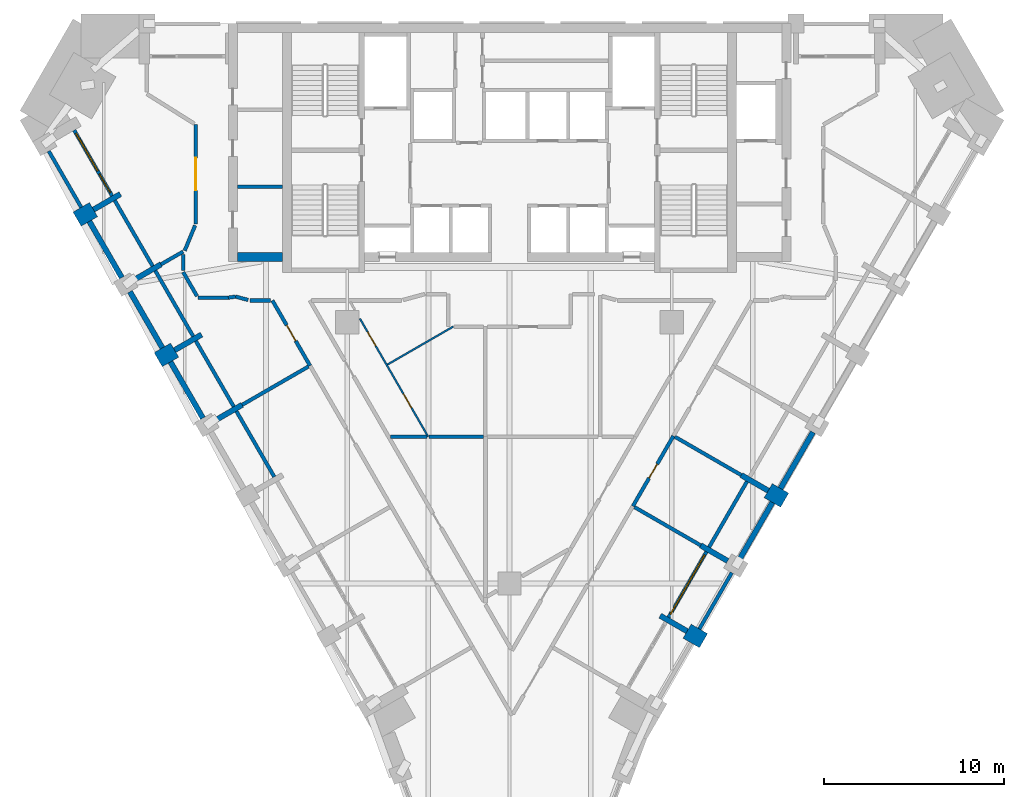
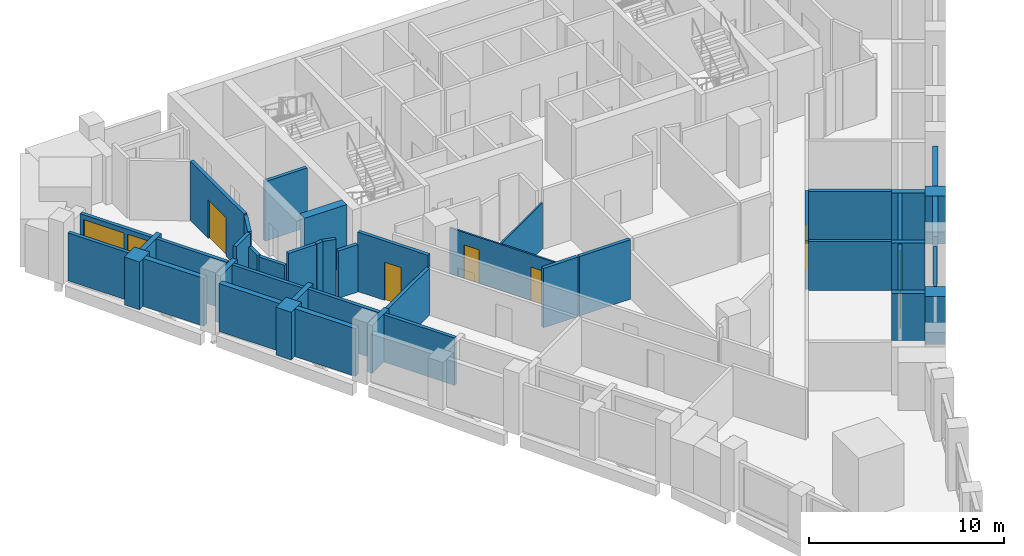
# One storey, part 4 of 10: 45 walls, 6 doors, 2 windows, 8 openings.
"""IFC4 building model written with IfcOpenShell, lengths in metres."""

from ifc_helpers import new_model, si_unit, direction, frame, frame_2d, origin, place, context, subcontext, project, spatial, rectangle, extrude, material, layer, layer_set, type_object, element, fill, save


model = new_model("IFC4")

# Units and contexts
model_context = context("Model", 3, precision=1e-05, world=origin(), true_north=direction((0.0, 1.0)))
body_context = subcontext(model_context, "Body", "Model", "MODEL_VIEW")
ifc_project = project(units=[si_unit("LENGTHUNIT", "METRE"), si_unit("AREAUNIT", "SQUARE_METRE"), si_unit("VOLUMEUNIT", "CUBIC_METRE"), si_unit("PLANEANGLEUNIT", "RADIAN"), si_unit("MASSUNIT", "GRAM", prefix="KILO")], contexts=[model_context])

# Site, building, storey
site_placement = place(None, origin())
site = spatial("IfcSite", under=ifc_project, at=site_placement, CompositionType="ELEMENT")
building_placement = place(site_placement, origin())
building = spatial("IfcBuilding", under=site, at=building_placement, Name="Calabash Gate Tower", CompositionType="ELEMENT")
storey_placement = place(building_placement, frame((0.0, 0.0, 164.10009765625)))
storey = spatial("IfcBuildingStorey", under=building, at=storey_placement, Name="L38", CompositionType="ELEMENT", Elevation=164.10009765625)

# Walls
ifc_material_1 = material(Name="Terracotta brick masonry, exposed face", Category="masonry")
ifc_layer_1 = layer(ifc_material_1, 1.050048828125)
ifc_layer_set_1 = layer_set([ifc_layer_1], Name="Brick end wall 1050")
wall_type_1 = type_object("IfcWallType", Name="Brick end wall 1050", PredefinedType="SOLIDWALL", material=ifc_layer_set_1)
for number, where, z_axis, x_axis, name in (
    (1, (-23.07470703125, 8.737060546875, 0.0), (0.0, 0.0, 1.0), (-0.86592997719, -0.500165247297, 0.0), "Brick pier S10 SW0.1"),
    (2, (-19.48388671875, 0.417724609375, 0.0), (0.0, 0.0, 1.0), (0.86592997719, 0.500165247297, 0.0), "Brick pier S10 SW0.3"),
):
    element("IfcWall", number, at=place(storey_placement, frame(where, z_axis=z_axis, x_axis=x_axis)), inside=storey, type_object=wall_type_1, Name=name, PredefinedType="SOLIDWALL", context=body_context, shape_type="SweptSolid", body=[
        extrude(rectangle(XDim=1.050048828125, YDim=0.89990234375, at=frame_2d((0.52490234375, 0.0))), origin(), (0.0, 0.0, 1.0), 3.0),
    ])
for number, where, z_axis, x_axis, name in (
    (3, (9.849609375, -14.645751953125, 0.0), (0.0, 0.0, 1.0), (0.866030680601, -0.499990860175, 0.0), "Brick pier S10 SE4.1"),
    (4, (14.349609375, -6.8515625, 0.0), (0.0, 0.0, 1.0), (0.866030680601, -0.499990860175, 0.0), "Brick pier S10 SE4.3"),
):
    element("IfcWall", number, at=place(storey_placement, frame(where, z_axis=z_axis, x_axis=x_axis)), inside=storey, type_object=wall_type_1, Name=name, PredefinedType="SOLIDWALL", context=body_context, shape_type="SweptSolid", body=[
        extrude(rectangle(XDim=1.0498046875, YDim=0.89990234375, at=frame_2d((0.52490234375, 0.0))), origin(), (0.0, 0.0, 1.0), 3.0),
    ])
ifc_material_2 = material(Name="Terracotta brick masonry, exposed face", Category="masonry")
ifc_layer_2 = layer(ifc_material_2, 0.300048828125)
ifc_layer_set_2 = layer_set([ifc_layer_2], Name="Brick infill panel wall 300")
wall_type_2 = type_object("IfcWallType", Name="Brick infill panel wall 300", PredefinedType="SOLIDWALL", material=ifc_layer_set_2)
wall_1_placement = place(storey_placement, frame((-23.30419921875, 8.084716796875, 0.0), z_axis=(0.0, 0.0, 1.0), x_axis=(0.499961193289, -0.866047807691, 0.0)))
element("IfcWall", 5, at=wall_1_placement, inside=storey, type_object=wall_type_2, Name="Brick panel S10 SW0.2", PredefinedType="SOLIDWALL", context=body_context, shape_type="SweptSolid", body=[
    extrude(rectangle(XDim=3.599853515625, YDim=0.300048828125, at=frame_2d((1.7998046875, 0.0))), origin(), (0.0, 0.0, 1.0), 3.0),
])
wall_2_placement = place(storey_placement, frame((-19.25439453125, 1.070068359375, 0.0), z_axis=(0.0, 0.0, 1.0), x_axis=(-0.499969057507, 0.866043267704, 0.0)))
element("IfcWall", 6, at=wall_2_placement, inside=storey, type_object=wall_type_2, Name="Brick panel S10 SW0.3", PredefinedType="SOLIDWALL", context=body_context, shape_type="SweptSolid", body=[
    extrude(rectangle(XDim=3.599365234375, YDim=0.300048828125, at=frame_2d((1.7998046875, 0.0))), origin(), (0.0, 0.0, 1.0), 3.0),
])
wall_3_placement = place(storey_placement, frame((-18.80419921875, 0.29052734375, 0.0), z_axis=(0.0, 0.0, 1.0), x_axis=(0.499961193289, -0.866047807691, 0.0)))
element("IfcWall", 7, at=wall_3_placement, inside=storey, type_object=wall_type_2, Name="Brick panel S10 SW0.4", PredefinedType="SOLIDWALL", context=body_context, shape_type="SweptSolid", body=[
    extrude(rectangle(XDim=3.599853515625, YDim=0.300048828125, at=frame_2d((1.7998046875, 0.0))), origin(), (0.0, 0.0, 1.0), 3.0),
])
wall_4_placement = place(storey_placement, frame((12.779296875, -10.621337890625, 0.0), z_axis=(0.0, 0.0, 1.0), x_axis=(0.500012057535, 0.866018442252, 0.0)))
element("IfcWall", 8, at=wall_4_placement, inside=storey, type_object=wall_type_2, Name="Brick panel S10 SE4.3", PredefinedType="SOLIDWALL", context=body_context, shape_type="SweptSolid", body=[
    extrude(rectangle(XDim=3.60009765625, YDim=0.300048828125, at=frame_2d((1.800048828125, 0.0))), origin(), (0.0, 0.0, 1.0), 3.0),
])
wall_5_placement = place(storey_placement, frame((15.029296875, -6.724365234375, 0.0), z_axis=(0.0, 0.0, 1.0), x_axis=(0.499982693035, 0.866035395735, 0.0)))
element("IfcWall", 9, at=wall_5_placement, inside=storey, type_object=wall_type_2, Name="Brick panel S10 SE4.4", PredefinedType="SOLIDWALL", context=body_context, shape_type="SweptSolid", body=[
    extrude(rectangle(XDim=3.600341796875, YDim=0.300048828125, at=frame_2d((1.80029296875, 0.0))), origin(), (0.0, 0.0, 1.0), 3.0),
])
ifc_material_3 = material(Name="Terracotta brick masonry, exposed face", Category="masonry")
ifc_layer_3 = layer(ifc_material_3, 0.300048828125)
ifc_layer_set_3 = layer_set([ifc_layer_3], Name="Brick loggia cheek wall 300")
wall_type_3 = type_object("IfcWallType", Name="Brick loggia cheek wall 300", PredefinedType="SOLIDWALL", material=ifc_layer_set_3)
wall_6_placement = place(storey_placement, frame((-23.07470703125, 8.737060546875, 0.0), z_axis=(0.0, 0.0, 1.0), x_axis=(0.866013532718, 0.500020560727, 0.0)))
element("IfcWall", 10, at=wall_6_placement, inside=storey, type_object=wall_type_3, Name="Loggia cheek S10 SW0.1", PredefinedType="SOLIDWALL", context=body_context, shape_type="SweptSolid", body=[
    extrude(rectangle(XDim=1.72509765625, YDim=0.300048828125, at=frame_2d((0.862548828125, 0.0))), origin(), (0.0, 0.0, 1.0), 3.0),
])
wall_7_placement = place(storey_placement, frame((-19.330810546875, 5.702392578125, 0.0), z_axis=(0.0, 0.0, 1.0), x_axis=(-0.86597814115, -0.500081852351, 0.0)))
element("IfcWall", 11, at=wall_7_placement, inside=storey, type_object=wall_type_3, Name="Loggia cheek S10 SW0.2", PredefinedType="SOLIDWALL", context=body_context, shape_type="SweptSolid", body=[
    extrude(rectangle(XDim=1.724853515625, YDim=0.300048828125, at=frame_2d((0.8623046875, 0.0))), origin(), (0.0, 0.0, 1.0), 2.949951171875),
])
for number, where, z_axis, x_axis, name in (
    (12, (-18.57470703125, 0.94287109375, 0.0), (0.0, 0.0, 1.0), (0.866074815912, 0.499914405916, 0.0), "Loggia cheek S10 SW0.3"),
    (13, (-16.324462890625, -2.954345703125, 0.0), (0.0, 0.0, 1.0), (0.86597814115, 0.500081852351, 0.0), "Loggia cheek S10 SW0.4"),
):
    element("IfcWall", number, at=place(storey_placement, frame(where, z_axis=z_axis, x_axis=x_axis)), inside=storey, type_object=wall_type_3, Name=name, PredefinedType="SOLIDWALL", context=body_context, shape_type="SweptSolid", body=[
        extrude(rectangle(XDim=1.724853515625, YDim=0.300048828125, at=frame_2d((0.8623046875, 0.0))), origin(), (0.0, 0.0, 1.0), 3.0),
    ])
wall_8_placement = place(storey_placement, frame((8.355712890625, -13.783203125, 0.0), z_axis=(0.0, 0.0, 1.0), x_axis=(0.866013532718, -0.500020560727, 0.0)))
element("IfcWall", 14, at=wall_8_placement, inside=storey, type_object=wall_type_3, Name="Loggia cheek S10 SE4.1", PredefinedType="SOLIDWALL", context=body_context, shape_type="SweptSolid", body=[
    extrude(rectangle(XDim=1.72509765625, YDim=0.300048828125, at=frame_2d((0.862548828125, 0.0))), origin(), (0.0, 0.0, 1.0), 3.0),
])
wall_9_placement = place(storey_placement, frame((12.099365234375, -10.74853515625, 0.0), z_axis=(0.0, 0.0, 1.0), x_axis=(-0.86597814115, 0.500081852351, 0.0)))
element("IfcWall", 15, at=wall_9_placement, inside=storey, type_object=wall_type_3, Name="Loggia cheek S10 SE4.2", PredefinedType="SOLIDWALL", context=body_context, shape_type="SweptSolid", body=[
    extrude(rectangle(XDim=1.724853515625, YDim=0.300048828125, at=frame_2d((0.8623046875, 0.0))), origin(), (0.0, 0.0, 1.0), 3.0),
])
wall_10_placement = place(storey_placement, frame((14.349609375, -6.8515625, 0.0), z_axis=(0.0, 0.0, 1.0), x_axis=(-0.866013532718, 0.500020560727, 0.0)))
element("IfcWall", 16, at=wall_10_placement, inside=storey, type_object=wall_type_3, Name="Loggia cheek S10 SE4.3", PredefinedType="SOLIDWALL", context=body_context, shape_type="SweptSolid", body=[
    extrude(rectangle(XDim=1.72509765625, YDim=0.300048828125, at=frame_2d((0.862548828125, 0.0))), origin(), (0.0, 0.0, 1.0), 3.0),
])
ifc_material_4 = material(Name="Gypsum board on steel studs, mineral wool", Category="steel")
ifc_layer_4 = layer(ifc_material_4, 0.199951171875)
ifc_layer_set_4 = layer_set([ifc_layer_4], Name="Core partition 200 gypsum board")
wall_type_4 = type_object("IfcWallType", Name="Core partition 200 gypsum board", PredefinedType="PARTITIONING", material=ifc_layer_set_4)
wall_11_placement = place(storey_placement, frame((-15.10009765625, 10.0126953125, 0.0), z_axis=(0.0, 0.0, 1.0), x_axis=(1.0, 0.0, 0.0)))
element("IfcWall", 17, at=wall_11_placement, inside=storey, type_object=wall_type_4, Name="Core partition", PredefinedType="PARTITIONING", context=body_context, shape_type="SweptSolid", body=[
    extrude(rectangle(XDim=2.5, YDim=0.199951171875, at=frame_2d((1.25, 0.0))), origin(), (0.0, 0.0, 1.0), 3.72998046875),
])
ifc_material_5 = material(Name="Concrete C70/85", Category="concrete")
ifc_layer_5 = layer(ifc_material_5, 0.5)
ifc_layer_set_5 = layer_set([ifc_layer_5], Name="Core wall 500 Concrete C70/85")
wall_type_5 = type_object("IfcWallType", Name="Core wall 500 Concrete C70/85", PredefinedType="SHEAR", material=ifc_layer_set_5)
wall_12_placement = place(storey_placement, frame((-12.60009765625, 6.1025390625, 0.0), z_axis=(0.0, 0.0, 1.0), x_axis=(-1.0, 0.0, 0.0)))
element("IfcWall", 18, at=wall_12_placement, inside=storey, type_object=wall_type_5, Name="Core wall Z3-SW L38", PredefinedType="SHEAR", context=body_context, shape_type="SweptSolid", body=[
    extrude(rectangle(XDim=2.5, YDim=0.5, at=frame_2d((1.25, 0.0))), origin(), (0.0, 0.0, 1.0), 3.89990234375),
])
ifc_material_6 = material(Name="Gypsum board on steel studs, mineral wool", Category="steel")
ifc_layer_6 = layer(ifc_material_6, 0.10009765625)
ifc_layer_set_6 = layer_set([ifc_layer_6], Name="Partition 100 gypsum board")
wall_type_6 = type_object("IfcWallType", Name="Partition 100 gypsum board", PredefinedType="PARTITIONING", material=ifc_layer_set_6)
wall_13_placement = place(storey_placement, frame((-6.76708984375, 0.145263671875, 0.0), z_axis=(0.0, 0.0, 1.0), x_axis=(0.865929781716, 0.500165585718, 0.0)))
element("IfcWall", 19, at=wall_13_placement, inside=storey, type_object=wall_type_6, Name="Partition", PredefinedType="PARTITIONING", context=body_context, shape_type="SweptSolid", body=[
    extrude(rectangle(XDim=4.21240234375, YDim=0.10009765625, at=frame_2d((2.106201171875, 0.0))), origin(), (0.0, 0.0, 1.0), 2.884033203125),
])

# Wall, openings, doors
wall_14_placement = place(storey_placement, frame((-8.300048828125, 2.697021484375, 0.0), z_axis=(0.0, 0.0, 1.0), x_axis=(0.500524865803, -0.86572216023, 0.0)))
wall_14 = element("IfcWall", 20, at=wall_14_placement, inside=storey, type_object=wall_type_6, Name="Partition", PredefinedType="PARTITIONING", context=body_context, shape_type="SweptSolid", body=[
    extrude(rectangle(XDim=7.566162109375, YDim=0.10009765625, at=frame_2d((3.783203125, 0.0))), origin(), (0.0, 0.0, 1.0), 2.884033203125),
])
opening_1_placement = place(wall_14_placement, frame((0.858154296875, 0.0, 0.0)))
opening_1 = element("IfcOpeningElement", 21, at=opening_1_placement, cuts=wall_14, Name="Opening 36-38-017", PredefinedType="OPENING", context=body_context, shape_type="SweptSolid", body=[
    extrude(rectangle(XDim=0.89990234375, YDim=2.10009765625, at=frame_2d((0.449951171875, 1.050048828125))), frame((0.0, 0.06005859375, 0.0), z_axis=(0.0, -1.0, 0.0), x_axis=(1.0, 0.0, 0.0)), (0.0, 0.0, 1.0), 0.1201171875),
])
opening_2_placement = place(wall_14_placement, frame((4.8203125, 0.0, 0.0)))
opening_2 = element("IfcOpeningElement", 22, at=opening_2_placement, cuts=wall_14, Name="Opening 36-38-018", PredefinedType="OPENING", context=body_context, shape_type="SweptSolid", body=[
    extrude(rectangle(XDim=0.89990234375, YDim=2.10009765625, at=frame_2d((0.449951171875, 1.050048828125))), frame((0.0, 0.06005859375, 0.0), z_axis=(0.0, -1.0, 0.0), x_axis=(1.0, 0.0, 0.0)), (0.0, 0.0, 1.0), 0.1201171875),
])
ifc_material_7 = material(Name="Painted timber door", Category="wood")
door_type_1 = type_object("IfcDoorType", Name="WD1 WC door 900x2100", OperationType="NOTDEFINED", PredefinedType="DOOR", material=ifc_material_7)
door_1_placement = place(opening_1_placement, origin())
door_1 = element("IfcDoor", 23, at=door_1_placement, inside=storey, type_object=door_type_1, Name="WC door", OperationType="SINGLE_SWING_LEFT", OverallHeight=2.10009765625, OverallWidth=0.89990234375, PredefinedType="DOOR", context=body_context, shape_type="SweptSolid", body=[
    extrude(rectangle(XDim=0.89990234375, YDim=2.10009765625, at=frame_2d((0.449951171875, 1.050048828125))), frame((0.0, 0.02490234375, 0.0), z_axis=(0.0, -1.0, 0.0), x_axis=(1.0, 0.0, 0.0)), (0.0, 0.0, 1.0), 0.050048828125),
])
fill(opening_1, door_1)
door_2_placement = place(opening_2_placement, origin())
door_2 = element("IfcDoor", 24, at=door_2_placement, inside=storey, type_object=door_type_1, Name="WC door", OperationType="SINGLE_SWING_RIGHT", OverallHeight=2.10009765625, OverallWidth=0.89990234375, PredefinedType="DOOR", context=body_context, shape_type="SweptSolid", body=[
    extrude(rectangle(XDim=0.89990234375, YDim=2.10009765625, at=frame_2d((0.449951171875, 1.050048828125))), frame((0.0, 0.02490234375, 0.0), z_axis=(0.0, -1.0, 0.0), x_axis=(1.0, 0.0, 0.0)), (0.0, 0.0, 1.0), 0.050048828125),
])
fill(opening_2, door_2)

# Walls
ifc_material_8 = material(Name="Gypsum board on steel studs, mineral wool", Category="steel")
ifc_layer_7 = layer(ifc_material_8, 0.199951171875)
ifc_layer_set_7 = layer_set([ifc_layer_7], Name="Partition 200 gypsum board EI 60")
wall_type_7 = type_object("IfcWallType", Name="Partition 200 gypsum board EI 60", PredefinedType="PARTITIONING", material=ifc_layer_set_7)
wall_15_placement = place(storey_placement, frame((6.927734375, -7.760498046875, 0.0), z_axis=(0.0, 0.0, 1.0), x_axis=(0.86582081126, -0.500354197333, 0.0)))
element("IfcWall", 25, at=wall_15_placement, inside=storey, type_object=wall_type_7, Name="Partition", PredefinedType="PARTITIONING", context=body_context, shape_type="SweptSolid", body=[
    extrude(rectangle(XDim=4.248046875, YDim=0.199951171875, at=frame_2d((2.1240234375, 0.0))), origin(), (0.0, 0.0, 1.0), 3.0517578125),
])
wall_16_placement = place(storey_placement, frame((-4.466796875, -3.85546875, 0.0), z_axis=(0.0, 0.0, 1.0), x_axis=(0.999999841097, 0.000563743166, 0.0)))
element("IfcWall", 26, at=wall_16_placement, inside=storey, type_object=wall_type_7, Name="Partition", PredefinedType="PARTITIONING", context=body_context, shape_type="SweptSolid", body=[
    extrude(rectangle(XDim=3.031494140625, YDim=0.199951171875, at=frame_2d((1.515625, 0.0))), origin(), (0.0, 0.0, 1.0), 3.72998046875),
])
wall_17_placement = place(storey_placement, frame((9.17626953125, -3.8623046875, 0.0), z_axis=(0.0, 0.0, 1.0), x_axis=(0.865807555134, -0.500377135241, 0.0)))
element("IfcWall", 27, at=wall_17_placement, inside=storey, type_object=wall_type_7, Name="Partition", PredefinedType="PARTITIONING", context=body_context, shape_type="SweptSolid", body=[
    extrude(rectangle(XDim=4.249755859375, YDim=0.199951171875, at=frame_2d((2.125, 0.0))), origin(), (0.0, 0.0, 1.0), 3.0517578125),
])
wall_18_placement = place(storey_placement, frame((-6.609619140625, -3.85400390625, 0.0), z_axis=(0.0, 0.0, 1.0), x_axis=(0.999999992849, 0.000119588614, 0.0)))
element("IfcWall", 28, at=wall_18_placement, inside=storey, type_object=wall_type_7, Name="Partition", PredefinedType="PARTITIONING", context=body_context, shape_type="SweptSolid", body=[
    extrude(rectangle(XDim=2.04150390625, YDim=0.199951171875, at=frame_2d((1.020751953125, 0.0))), origin(), (0.0, 0.0, 1.0), 3.72998046875),
])

# Wall, opening, door
wall_19_placement = place(storey_placement, frame((6.84130859375, -7.710205078125, 0.0), z_axis=(0.0, 0.0, 1.0), x_axis=(0.499974615194, 0.866040059213, 0.0)))
wall_19 = element("IfcWall", 29, at=wall_19_placement, inside=storey, type_object=wall_type_7, Name="Partition", PredefinedType="PARTITIONING", context=body_context, shape_type="SweptSolid", body=[
    extrude(rectangle(XDim=4.497802734375, YDim=0.199951171875, at=frame_2d((2.2490234375, 0.0))), origin(), (0.0, 0.0, 1.0), 3.0517578125),
])
opening_3_placement = place(wall_19_placement, frame((1.798095703125, 0.0, 0.0)))
opening_3 = element("IfcOpeningElement", 30, at=opening_3_placement, cuts=wall_19, Name="Opening 36-38-004", PredefinedType="OPENING", context=body_context, shape_type="SweptSolid", body=[
    extrude(rectangle(XDim=0.89990234375, YDim=2.10009765625, at=frame_2d((0.449951171875, 1.050048828125))), frame((0.0, 0.10986328125, 0.0), z_axis=(0.0, -1.0, 0.0), x_axis=(1.0, 0.0, 0.0)), (0.0, 0.0, 1.0), 0.219970703125),
])
ifc_material_9 = material(Name="Steel fire door set with fire-resisting glazing", Category="steel")
door_type_2 = type_object("IfcDoorType", Name="SD3 Store door 900x2100", OperationType="NOTDEFINED", PredefinedType="DOOR", material=ifc_material_9)
door_3_placement = place(opening_3_placement, origin())
door_3 = element("IfcDoor", 31, at=door_3_placement, inside=storey, type_object=door_type_2, Name="Store door", OperationType="SINGLE_SWING_RIGHT", OverallHeight=2.10009765625, OverallWidth=0.89990234375, PredefinedType="DOOR", context=body_context, shape_type="SweptSolid", body=[
    extrude(rectangle(XDim=0.89990234375, YDim=2.10009765625, at=frame_2d((0.449951171875, 1.050048828125))), frame((0.0, 0.02490234375, 0.0), z_axis=(0.0, -1.0, 0.0), x_axis=(1.0, 0.0, 0.0)), (0.0, 0.0, 1.0), 0.050048828125),
])
fill(opening_3, door_3)

# Wall
wall_20_placement = place(storey_placement, frame((-14.8310546875, -2.09130859375, 0.0), z_axis=(0.0, 0.0, 1.0), x_axis=(0.865857330643, 0.500290998291, 0.0)))
element("IfcWall", 32, at=wall_20_placement, inside=storey, type_object=wall_type_7, Name="Partition", PredefinedType="PARTITIONING", context=body_context, shape_type="SweptSolid", body=[
    extrude(rectangle(XDim=4.24951171875, YDim=0.199951171875, at=frame_2d((2.124755859375, 0.0))), origin(), (0.0, 0.0, 1.0), 2.973388671875),
])

# Wall, opening, door
wall_21_placement = place(storey_placement, frame((-13.152099609375, 3.699462890625, 0.0), z_axis=(0.0, 0.0, 1.0), x_axis=(0.499717391966, -0.866188506139, 0.0)))
wall_21 = element("IfcWall", 33, at=wall_21_placement, inside=storey, type_object=wall_type_7, Name="Partition", PredefinedType="PARTITIONING", context=body_context, shape_type="SweptSolid", body=[
    extrude(rectangle(XDim=4.17578125, YDim=0.199951171875, at=frame_2d((2.087890625, 0.0))), origin(), (0.0, 0.0, 1.0), 3.72998046875),
])
opening_4_placement = place(wall_21_placement, frame((1.587890625, 0.0, 0.0)))
opening_4 = element("IfcOpeningElement", 34, at=opening_4_placement, cuts=wall_21, Name="Opening 36-38-012", PredefinedType="OPENING", context=body_context, shape_type="SweptSolid", body=[
    extrude(rectangle(XDim=1.0, YDim=2.39990234375, at=frame_2d((0.5, 1.199951171875))), frame((0.0, 0.10986328125, 0.0), z_axis=(0.0, -1.0, 0.0), x_axis=(1.0, 0.0, 0.0)), (0.0, 0.0, 1.0), 0.219970703125),
])
ifc_material_10 = material(Name="Painted timber door", Category="wood")
door_type_3 = type_object("IfcDoorType", Name="OD2 Glazed office door 1000x2400", OperationType="NOTDEFINED", PredefinedType="DOOR", material=ifc_material_10)
door_4_placement = place(opening_4_placement, origin())
door_4 = element("IfcDoor", 35, at=door_4_placement, inside=storey, type_object=door_type_3, Name="Glazed office door", OperationType="SINGLE_SWING_RIGHT", OverallHeight=2.39990234375, OverallWidth=1.0, PredefinedType="DOOR", context=body_context, shape_type="SweptSolid", body=[
    extrude(rectangle(XDim=1.0, YDim=2.39990234375, at=frame_2d((0.5, 1.199951171875))), frame((0.0, 0.02490234375, 0.0), z_axis=(0.0, -1.0, 0.0), x_axis=(1.0, 0.0, 0.0)), (0.0, 0.0, 1.0), 0.050048828125),
])
fill(opening_4, door_4)

# Walls
wall_22_placement = place(storey_placement, frame((-14.39990234375, 3.699462890625, 0.0), z_axis=(0.0, 0.0, 1.0), x_axis=(1.0, 0.0, 0.0)))
element("IfcWall", 36, at=wall_22_placement, inside=storey, type_object=wall_type_7, Name="Partition", PredefinedType="PARTITIONING", context=body_context, shape_type="SweptSolid", body=[
    extrude(rectangle(XDim=1.14794921875, YDim=0.199951171875, at=frame_2d((0.573974609375, 0.0))), origin(), (0.0, 0.0, 1.0), 2.973388671875),
])
wall_23_placement = place(storey_placement, frame((-15.193359375, 3.91455078125, 0.0), z_axis=(0.0, 0.0, 1.0), x_axis=(0.965137431954, -0.26174364833, 0.0)))
element("IfcWall", 37, at=wall_23_placement, inside=storey, type_object=wall_type_7, Name="Partition", PredefinedType="PARTITIONING", context=body_context, shape_type="SweptSolid", body=[
    extrude(rectangle(XDim=0.721923828125, YDim=0.199951171875, at=frame_2d((0.36083984375, 0.0))), origin(), (0.0, 0.0, 1.0), 3.72998046875),
])
wall_24_placement = place(storey_placement, frame((-17.281494140625, 3.85205078125, 0.0), z_axis=(0.0, 0.0, 1.0), x_axis=(1.0, 0.0, 0.0)))
element("IfcWall", 38, at=wall_24_placement, inside=storey, type_object=wall_type_7, Name="Partition", PredefinedType="PARTITIONING", context=body_context, shape_type="SweptSolid", body=[
    extrude(rectangle(XDim=1.681396484375, YDim=0.199951171875, at=frame_2d((0.8408203125, 0.0))), origin(), (0.0, 0.0, 1.0), 3.72998046875),
])
wall_25_placement = place(storey_placement, frame((-15.60009765625, 3.85205078125, 0.0), z_axis=(0.0, 0.0, 1.0), x_axis=(0.988399116328, 0.15187885581, 0.0)))
element("IfcWall", 39, at=wall_25_placement, inside=storey, type_object=wall_type_7, Name="Partition", PredefinedType="PARTITIONING", context=body_context, shape_type="SweptSolid", body=[
    extrude(rectangle(XDim=0.41162109375, YDim=0.199951171875, at=frame_2d((0.205810546875, 0.0))), origin(), (0.0, 0.0, 1.0), 3.72998046875),
])
wall_26_placement = place(storey_placement, frame((-18.1005859375, 5.2705078125, 0.0), z_axis=(0.0, 0.0, 1.0), x_axis=(0.500065993159, -0.865987299264, 0.0)))
element("IfcWall", 40, at=wall_26_placement, inside=storey, type_object=wall_type_7, Name="Partition", PredefinedType="PARTITIONING", context=body_context, shape_type="SweptSolid", body=[
    extrude(rectangle(XDim=1.537841796875, YDim=0.199951171875, at=frame_2d((0.76904296875, 0.0))), origin(), (0.0, 0.0, 1.0), 2.949951171875),
])
wall_27_placement = place(storey_placement, frame((-18.1005859375, 6.252685546875, 0.0), z_axis=(0.0, 0.0, 1.0), x_axis=(0.0, -1.0, 0.0)))
element("IfcWall", 41, at=wall_27_placement, inside=storey, type_object=wall_type_7, Name="Partition", PredefinedType="PARTITIONING", context=body_context, shape_type="SweptSolid", body=[
    extrude(rectangle(XDim=0.882080078125, YDim=0.199951171875, at=frame_2d((0.44091796875, 0.0))), origin(), (0.0, 0.0, 1.0), 2.949951171875),
])
wall_28_placement = place(storey_placement, frame((-19.330810546875, 5.7021484375, 0.0), z_axis=(0.0, 0.0, 1.0), x_axis=(0.866606662927, 0.498991875455, 0.0)))
element("IfcWall", 42, at=wall_28_placement, inside=storey, type_object=wall_type_7, Name="Partition", PredefinedType="PARTITIONING", context=body_context, shape_type="SweptSolid", body=[
    extrude(rectangle(XDim=1.41796875, YDim=0.199951171875, at=frame_2d((0.708984375, 0.0))), origin(), (0.0, 0.0, 1.0), 3.72998046875),
])
wall_29_placement = place(storey_placement, frame((-18.01611328125, 6.46142578125, 0.0), z_axis=(0.0, 0.0, 1.0), x_axis=(0.381577373497, 0.924336901803, 0.0)))
element("IfcWall", 43, at=wall_29_placement, inside=storey, type_object=wall_type_7, Name="Partition", PredefinedType="PARTITIONING", context=body_context, shape_type="SweptSolid", body=[
    extrude(rectangle(XDim=1.51318359375, YDim=0.199951171875, at=frame_2d((0.756591796875, 0.0))), origin(), (0.0, 0.0, 1.0), 3.72998046875),
])

# Wall, opening, door
wall_30_placement = place(storey_placement, frame((-17.400390625, 7.95263671875, 0.0), z_axis=(0.0, 0.0, 1.0), x_axis=(0.0, 1.0, 0.0)))
wall_30 = element("IfcWall", 44, at=wall_30_placement, inside=storey, type_object=wall_type_7, Name="Partition", PredefinedType="PARTITIONING", context=body_context, shape_type="SweptSolid", body=[
    extrude(rectangle(XDim=5.499755859375, YDim=0.199951171875, at=frame_2d((2.75, 0.0))), origin(), (0.0, 0.0, 1.0), 3.72998046875),
])
opening_5_placement = place(wall_30_placement, frame((1.849853515625, 0.0, 0.0)))
opening_5 = element("IfcOpeningElement", 45, at=opening_5_placement, cuts=wall_30, Name="Opening 36-38-011", PredefinedType="OPENING", context=body_context, shape_type="SweptSolid", body=[
    extrude(rectangle(XDim=1.800048828125, YDim=2.39990234375, at=frame_2d((0.89990234375, 1.199951171875))), frame((0.0, 0.10986328125, 0.0), z_axis=(0.0, -1.0, 0.0), x_axis=(1.0, 0.0, 0.0)), (0.0, 0.0, 1.0), 0.219970703125),
])
ifc_material_11 = material(Name="Steel fire door set with fire-resisting glazing", Category="steel")
door_type_4 = type_object("IfcDoorType", Name="OD5 Open office double door 1800x2400", OperationType="NOTDEFINED", PredefinedType="DOOR", material=ifc_material_11)
door_5_placement = place(opening_5_placement, origin())
door_5 = element("IfcDoor", 46, at=door_5_placement, inside=storey, type_object=door_type_4, Name="Open office double door", OperationType="DOUBLE_DOOR_SINGLE_SWING", OverallHeight=2.39990234375, OverallWidth=1.800048828125, PredefinedType="DOOR", context=body_context, shape_type="SweptSolid", body=[
    extrude(rectangle(XDim=1.800048828125, YDim=2.39990234375, at=frame_2d((0.89990234375, 1.199951171875))), frame((0.0, 0.02490234375, 0.0), z_axis=(0.0, -1.0, 0.0), x_axis=(1.0, 0.0, 0.0)), (0.0, 0.0, 1.0), 0.050048828125),
])
fill(opening_5, door_5)

# Walls
ifc_material_12 = material(Name="Terracotta brick masonry, perforated", Category="masonry")
ifc_layer_8 = layer(ifc_material_12, 0.199951171875)
ifc_layer_set_8 = layer_set([ifc_layer_8], Name="Terracotta jaali screen B")
wall_type_8 = type_object("IfcWallType", Name="Terracotta jaali screen B", PredefinedType="SOLIDWALL", material=ifc_layer_set_8)
wall_31_placement = place(storey_placement, frame((-25.55419921875, 11.98193359375, 0.0), z_axis=(0.0, 0.0, 1.0), x_axis=(0.499961193289, -0.866047807691, 0.0)))
element("IfcWall", 47, at=wall_31_placement, inside=storey, type_object=wall_type_8, Name="SCREEN B S10 SW0.1", PredefinedType="SOLIDWALL", context=body_context, shape_type="SweptSolid", body=[
    extrude(rectangle(XDim=3.599853515625, YDim=0.199951171875, at=frame_2d((1.7998046875, 0.0))), origin(), (0.0, 0.0, 1.0), 3.0),
])
wall_32_placement = place(storey_placement, frame((10.529296875, -14.5185546875, 0.0), z_axis=(0.0, 0.0, 1.0), x_axis=(0.500012057535, 0.866018442252, 0.0)))
element("IfcWall", 48, at=wall_32_placement, inside=storey, type_object=wall_type_8, Name="SCREEN B S10 SE4.2", PredefinedType="SOLIDWALL", context=body_context, shape_type="SweptSolid", body=[
    extrude(rectangle(XDim=3.60009765625, YDim=0.199951171875, at=frame_2d((1.800048828125, 0.0))), origin(), (0.0, 0.0, 1.0), 3.0),
])

# Wall, openings, door, window
ifc_material_13 = material(Name="Aluminium framed window wall with insulated spandrel", Category="aluminium")
ifc_layer_9 = layer(ifc_material_13, 0.199951171875)
ifc_layer_set_9 = layer_set([ifc_layer_9], Name="Window wall 200")
wall_type_9 = type_object("IfcWallType", Name="Window wall 200", PredefinedType="ELEMENTEDWALL", material=ifc_layer_set_9)
wall_33_placement = place(storey_placement, frame((-24.1455078125, 13.1416015625, 0.0), z_axis=(0.0, 0.0, 1.0), x_axis=(0.500027713859, -0.866009402589, 0.0)))
wall_33 = element("IfcWall", 49, at=wall_33_placement, inside=storey, type_object=wall_type_9, Name="Window wall S10 SW0.1", PredefinedType="ELEMENTEDWALL", context=body_context, shape_type="SweptSolid", body=[
    extrude(rectangle(XDim=4.199951171875, YDim=0.199951171875, at=frame_2d((2.10009765625, 0.0))), origin(), (0.0, 0.0, 1.0), 3.0),
])
opening_6_placement = place(wall_33_placement, frame((0.199951171875, 0.0, 0.449951171875)))
opening_6 = element("IfcOpeningElement", 50, at=opening_6_placement, cuts=wall_33, Name="Opening OW1", PredefinedType="OPENING", context=body_context, shape_type="SweptSolid", body=[
    extrude(rectangle(XDim=2.39990234375, YDim=2.25, at=frame_2d((1.199951171875, 1.125))), frame((0.0, 0.10986328125, 0.0), z_axis=(0.0, -1.0, 0.0), x_axis=(1.0, 0.0, 0.0)), (0.0, 0.0, 1.0), 0.219970703125),
])
opening_7_placement = place(wall_33_placement, frame((2.800048828125, 0.0, 0.0)))
opening_7 = element("IfcOpeningElement", 51, at=opening_7_placement, cuts=wall_33, Name="Opening O2-022", PredefinedType="OPENING", context=body_context, shape_type="SweptSolid", body=[
    extrude(rectangle(XDim=1.199951171875, YDim=2.699951171875, at=frame_2d((0.60009765625, 1.35009765625))), frame((0.0, 0.10986328125, 0.0), z_axis=(0.0, -1.0, 0.0), x_axis=(1.0, 0.0, 0.0)), (0.0, 0.0, 1.0), 0.219970703125),
])
ifc_material_14 = material(Name="Anodised aluminium frame, bronze finish, impact-rated laminated clear glazing", Category="aluminium")
door_type_5 = type_object("IfcDoorType", Name="Loggia door DO1 1200x2700", OperationType="SLIDING_TO_LEFT", PredefinedType="DOOR", material=ifc_material_14)
door_6_placement = place(opening_7_placement, origin())
door_6 = element("IfcDoor", 52, at=door_6_placement, inside=storey, type_object=door_type_5, Name="Loggia door S10 SW0.1", OperationType="SINGLE_SWING_LEFT", OverallHeight=2.699951171875, OverallWidth=1.199951171875, PredefinedType="DOOR", context=body_context, shape_type="SweptSolid", body=[
    extrude(rectangle(XDim=1.199951171875, YDim=2.699951171875, at=frame_2d((0.60009765625, 1.35009765625))), frame((0.0, 0.02490234375, 0.0), z_axis=(0.0, -1.0, 0.0), x_axis=(1.0, 0.0, 0.0)), (0.0, 0.0, 1.0), 0.050048828125),
])
fill(opening_7, door_6)
ifc_material_15 = material(Name="Anodised aluminium frame, bronze finish, impact-rated laminated clear glazing", Category="aluminium")
window_type_1 = type_object("IfcWindowType", Name="Window OW1 2400x2250", PartitioningType="DOUBLE_PANEL_VERTICAL", PredefinedType="WINDOW", material=ifc_material_15)
window_1_placement = place(opening_6_placement, origin())
window_1 = element("IfcWindow", 53, at=window_1_placement, inside=storey, type_object=window_type_1, Name="Window OW1 S10 SW0.1", OverallHeight=2.25, OverallWidth=2.39990234375, PartitioningType="SINGLE_PANEL", PredefinedType="WINDOW", context=body_context, shape_type="SweptSolid", body=[
    extrude(rectangle(XDim=2.39990234375, YDim=2.25, at=frame_2d((1.199951171875, 1.125))), frame((0.0, 0.030029296875, 0.0), z_axis=(0.0, -1.0, 0.0), x_axis=(1.0, 0.0, 0.0)), (0.0, 0.0, 1.0), 0.06005859375),
])
fill(opening_6, window_1)

# Walls
wall_34_placement = place(storey_placement, frame((-21.8955078125, 9.24462890625, 0.0), z_axis=(0.0, 0.0, 1.0), x_axis=(0.500002543286, -0.866023935413, 0.0)))
element("IfcWall", 54, at=wall_34_placement, inside=storey, type_object=wall_type_9, Name="Window wall S10 SW0.2", PredefinedType="ELEMENTEDWALL", context=body_context, shape_type="SweptSolid", body=[
    extrude(rectangle(XDim=4.2001953125, YDim=0.199951171875, at=frame_2d((2.10009765625, 0.0))), origin(), (0.0, 0.0, 1.0), 3.0),
])
wall_35_placement = place(storey_placement, frame((-19.6455078125, 5.347412109375, 0.0), z_axis=(0.0, 0.0, 1.0), x_axis=(0.500027713859, -0.866009402589, 0.0)))
element("IfcWall", 55, at=wall_35_placement, inside=storey, type_object=wall_type_9, Name="Window wall S10 SW0.3", PredefinedType="ELEMENTEDWALL", context=body_context, shape_type="SweptSolid", body=[
    extrude(rectangle(XDim=4.199951171875, YDim=0.199951171875, at=frame_2d((2.10009765625, 0.0))), origin(), (0.0, 0.0, 1.0), 2.949951171875),
])
wall_36_placement = place(storey_placement, frame((-17.3955078125, 1.450439453125, 0.0), z_axis=(0.0, 0.0, 1.0), x_axis=(0.500002543286, -0.866023935413, 0.0)))
element("IfcWall", 56, at=wall_36_placement, inside=storey, type_object=wall_type_9, Name="Window wall S10 SW0.4", PredefinedType="ELEMENTEDWALL", context=body_context, shape_type="SweptSolid", body=[
    extrude(rectangle(XDim=4.2001953125, YDim=0.199951171875, at=frame_2d((2.10009765625, 0.0))), origin(), (0.0, 0.0, 1.0), 3.0),
])
wall_37_placement = place(storey_placement, frame((-15.1455078125, -2.44677734375, 0.0), z_axis=(0.0, 0.0, 1.0), x_axis=(0.500027713859, -0.866009402589, 0.0)))
element("IfcWall", 57, at=wall_37_placement, inside=storey, type_object=wall_type_9, Name="Window wall S10 SW0.5", PredefinedType="ELEMENTEDWALL", context=body_context, shape_type="SweptSolid", body=[
    extrude(rectangle(XDim=4.199951171875, YDim=0.199951171875, at=frame_2d((2.10009765625, 0.0))), origin(), (0.0, 0.0, 1.0), 2.973388671875),
])

# Wall, opening, window
wall_38_placement = place(storey_placement, frame((8.8203125, -13.878173828125, 0.0), z_axis=(0.0, 0.0, 1.0), x_axis=(0.500027713859, 0.866009402589, 0.0)))
wall_38 = element("IfcWall", 58, at=wall_38_placement, inside=storey, type_object=wall_type_9, Name="Window wall S10 SE4.2", PredefinedType="ELEMENTEDWALL", context=body_context, shape_type="SweptSolid", body=[
    extrude(rectangle(XDim=4.199951171875, YDim=0.199951171875, at=frame_2d((2.10009765625, 0.0))), origin(), (0.0, 0.0, 1.0), 2.949951171875),
])
opening_8_placement = place(wall_38_placement, frame((0.199951171875, 0.0, 0.449951171875)))
opening_8 = element("IfcOpeningElement", 59, at=opening_8_placement, cuts=wall_38, Name="Opening OW2", PredefinedType="OPENING", context=body_context, shape_type="SweptSolid", body=[
    extrude(rectangle(XDim=3.800048828125, YDim=2.25, at=frame_2d((1.89990234375, 1.125))), frame((0.0, 0.10986328125, 0.0), z_axis=(0.0, -1.0, 0.0), x_axis=(1.0, 0.0, 0.0)), (0.0, 0.0, 1.0), 0.219970703125),
])
ifc_material_16 = material(Name="Anodised aluminium frame, bronze finish, impact-rated laminated clear glazing", Category="aluminium")
window_type_2 = type_object("IfcWindowType", Name="Window OW2 3800x2250", PartitioningType="TRIPLE_PANEL_VERTICAL", PredefinedType="WINDOW", material=ifc_material_16)
window_2_placement = place(opening_8_placement, origin())
window_2 = element("IfcWindow", 60, at=window_2_placement, inside=storey, type_object=window_type_2, Name="Window OW2 S10 SE4.2", OverallHeight=2.25, OverallWidth=3.800048828125, PartitioningType="SINGLE_PANEL", PredefinedType="WINDOW", context=body_context, shape_type="SweptSolid", body=[
    extrude(rectangle(XDim=3.800048828125, YDim=2.25, at=frame_2d((1.89990234375, 1.125))), frame((0.0, 0.030029296875, 0.0), z_axis=(0.0, -1.0, 0.0), x_axis=(1.0, 0.0, 0.0)), (0.0, 0.0, 1.0), 0.06005859375),
])
fill(opening_8, window_2)

# Wall
wall_39_placement = place(storey_placement, frame((11.0703125, -9.981201171875, 0.0), z_axis=(0.0, 0.0, 1.0), x_axis=(0.500002543286, 0.866023935413, 0.0)))
element("IfcWall", 61, at=wall_39_placement, inside=storey, type_object=wall_type_9, Name="Window wall S10 SE4.3", PredefinedType="ELEMENTEDWALL", context=body_context, shape_type="SweptSolid", body=[
    extrude(rectangle(XDim=4.2001953125, YDim=0.199951171875, at=frame_2d((2.10009765625, 0.0))), origin(), (0.0, 0.0, 1.0), 3.0),
])

save(model, "model.ifc")
